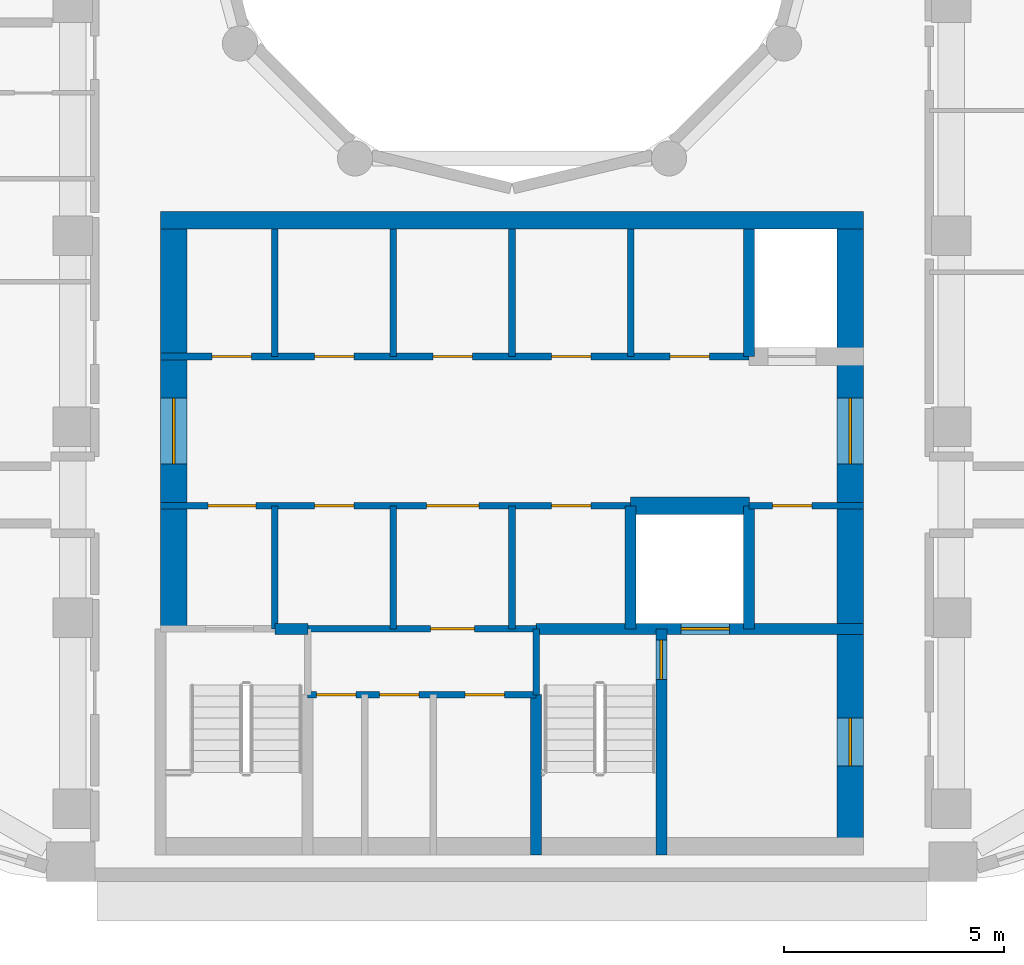
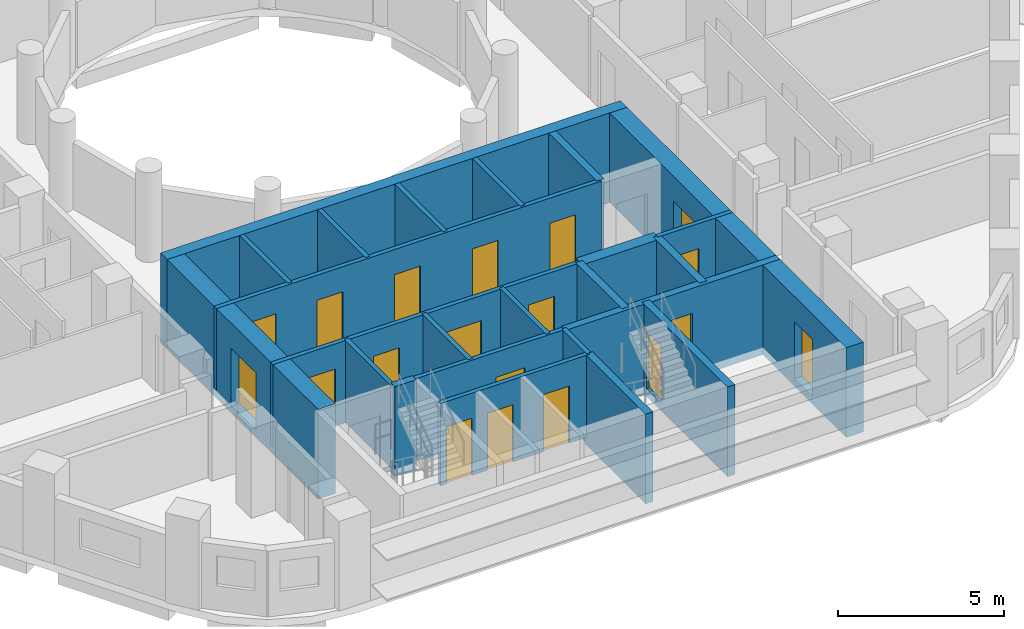
# One storey, part 3 of 13: 24 walls, 19 doors, 19 openings.
"""IFC4 building model written with IfcOpenShell, lengths in metres."""

from ifc_helpers import new_model, si_unit, direction, frame, frame_2d, origin, place, context, subcontext, project, spatial, rectangle, extrude, material, layer, layer_set, type_object, element, fill, save


model = new_model("IFC4")

# Units and contexts
model_context = context("Model", 3, precision=1e-05, world=origin(), true_north=direction((0.0, 1.0)))
body_context = subcontext(model_context, "Body", "Model", "MODEL_VIEW")
ifc_project = project(units=[si_unit("LENGTHUNIT", "METRE"), si_unit("AREAUNIT", "SQUARE_METRE"), si_unit("VOLUMEUNIT", "CUBIC_METRE"), si_unit("PLANEANGLEUNIT", "RADIAN"), si_unit("MASSUNIT", "GRAM", prefix="KILO")], contexts=[model_context])

# Site, building, storey
site_placement = place(None, origin())
site = spatial("IfcSite", under=ifc_project, at=site_placement, CompositionType="ELEMENT")
building_placement = place(site_placement, origin())
building = spatial("IfcBuilding", under=site, at=building_placement, Name="Nakaniwa Court", CompositionType="ELEMENT")
storey_placement = place(building_placement, frame((0.0, 0.0, 242.699951171875)))
storey = spatial("IfcBuildingStorey", under=building, at=storey_placement, Name="L63", CompositionType="ELEMENT", Elevation=242.699951171875)

# Walls
ifc_material_1 = material(Name="Blockwork partition", Category="masonry")
ifc_layer_1 = layer(ifc_material_1, 0.14990234375)
ifc_layer_set_1 = layer_set([ifc_layer_1], Name="Blockwork partition")
wall_type_1 = type_object("IfcWallType", Name="Blockwork partition 150", PredefinedType="PARTITIONING", material=ifc_layer_set_1)
wall_1_placement = place(storey_placement, frame((74.60009765625, 63.10009765625, 0.0), z_axis=(0.0, 0.0, 1.0), x_axis=(0.0, 1.0, 0.0)))
element("IfcWall", 1, at=wall_1_placement, inside=storey, type_object=wall_type_1, Name="Partition PW-031", PredefinedType="PARTITIONING", context=body_context, shape_type="SweptSolid", body=[
    extrude(rectangle(XDim=2.7998046875, YDim=0.14990234375, at=frame_2d((1.39990234375, 0.0))), origin(), (0.0, 0.0, 1.0), 3.025146484375),
])
wall_2_placement = place(storey_placement, frame((74.60009765625, 69.300048828125, 0.0), z_axis=(0.0, 0.0, 1.0), x_axis=(0.0, 1.0, 0.0)))
element("IfcWall", 2, at=wall_2_placement, inside=storey, type_object=wall_type_1, Name="Partition PW-032", PredefinedType="PARTITIONING", context=body_context, shape_type="SweptSolid", body=[
    extrude(rectangle(XDim=2.89990234375, YDim=0.14990234375, at=frame_2d((1.449951171875, 0.0))), origin(), (0.0, 0.0, 1.0), 3.025146484375),
])

# Wall, openings, doors
wall_3_placement = place(storey_placement, frame((72.0, 69.300048828125, 0.0), z_axis=(0.0, 0.0, 1.0), x_axis=(1.0, 0.0, 0.0)))
wall_3 = element("IfcWall", 3, at=wall_3_placement, inside=storey, type_object=wall_type_1, Name="Partition PW-033", PredefinedType="PARTITIONING", context=body_context, shape_type="SweptSolid", body=[
    extrude(rectangle(XDim=13.39990234375, YDim=0.14990234375, at=frame_2d((6.699951171875, 0.0))), origin(), (0.0, 0.0, 1.0), 3.025146484375),
])
opening_1_placement = place(wall_3_placement, frame((1.175048828125, 0.0, 0.0)))
opening_1 = element("IfcOpeningElement", 4, at=opening_1_placement, cuts=wall_3, Name="Opening D-05-12", PredefinedType="OPENING", context=body_context, shape_type="SweptSolid", body=[
    extrude(rectangle(XDim=0.89990234375, YDim=2.10009765625, at=frame_2d((0.449951171875, 1.050048828125))), frame((0.0, 0.0849609375, 0.0), z_axis=(0.0, -1.0, 0.0), x_axis=(1.0, 0.0, 0.0)), (0.0, 0.0, 1.0), 0.169921875),
])
opening_2_placement = place(wall_3_placement, frame((3.5, 0.0, 0.0)))
opening_2 = element("IfcOpeningElement", 5, at=opening_2_placement, cuts=wall_3, Name="Opening D-05-13", PredefinedType="OPENING", context=body_context, shape_type="SweptSolid", body=[
    extrude(rectangle(XDim=0.89990234375, YDim=2.10009765625, at=frame_2d((0.449951171875, 1.050048828125))), frame((0.0, 0.0849609375, 0.0), z_axis=(0.0, -1.0, 0.0), x_axis=(1.0, 0.0, 0.0)), (0.0, 0.0, 1.0), 0.169921875),
])
opening_3_placement = place(wall_3_placement, frame((6.199951171875, 0.0, 0.0)))
opening_3 = element("IfcOpeningElement", 6, at=opening_3_placement, cuts=wall_3, Name="Opening D-05-14", PredefinedType="OPENING", context=body_context, shape_type="SweptSolid", body=[
    extrude(rectangle(XDim=0.89990234375, YDim=2.10009765625, at=frame_2d((0.449951171875, 1.050048828125))), frame((0.0, 0.0849609375, 0.0), z_axis=(0.0, -1.0, 0.0), x_axis=(1.0, 0.0, 0.0)), (0.0, 0.0, 1.0), 0.169921875),
])
opening_4_placement = place(wall_3_placement, frame((8.89990234375, 0.0, 0.0)))
opening_4 = element("IfcOpeningElement", 7, at=opening_4_placement, cuts=wall_3, Name="Opening D-05-15", PredefinedType="OPENING", context=body_context, shape_type="SweptSolid", body=[
    extrude(rectangle(XDim=0.89990234375, YDim=2.10009765625, at=frame_2d((0.449951171875, 1.050048828125))), frame((0.0, 0.0849609375, 0.0), z_axis=(0.0, -1.0, 0.0), x_axis=(1.0, 0.0, 0.0)), (0.0, 0.0, 1.0), 0.169921875),
])
opening_5_placement = place(wall_3_placement, frame((11.60009765625, 0.0, 0.0)))
opening_5 = element("IfcOpeningElement", 8, at=opening_5_placement, cuts=wall_3, Name="Opening D-05-16", PredefinedType="OPENING", context=body_context, shape_type="SweptSolid", body=[
    extrude(rectangle(XDim=0.89990234375, YDim=2.10009765625, at=frame_2d((0.449951171875, 1.050048828125))), frame((0.0, 0.0849609375, 0.0), z_axis=(0.0, -1.0, 0.0), x_axis=(1.0, 0.0, 0.0)), (0.0, 0.0, 1.0), 0.169921875),
])
ifc_material_2 = material(Name="Fire rated steel door set", Category="steel")
door_type_1 = type_object("IfcDoorType", Name="Service room door 900", OperationType="NOTDEFINED", PredefinedType="DOOR", material=ifc_material_2)
door_1_placement = place(opening_1_placement, origin())
door_1 = element("IfcDoor", 9, at=door_1_placement, inside=storey, type_object=door_type_1, Name="Door D-05-12 L63-017", OperationType="SINGLE_SWING_RIGHT", OverallHeight=2.10009765625, OverallWidth=0.89990234375, PredefinedType="DOOR", context=body_context, shape_type="SweptSolid", body=[
    extrude(rectangle(XDim=0.89990234375, YDim=2.10009765625, at=frame_2d((0.449951171875, 1.050048828125))), frame((0.0, 0.02490234375, 0.0), z_axis=(0.0, -1.0, 0.0), x_axis=(1.0, 0.0, 0.0)), (0.0, 0.0, 1.0), 0.050048828125),
])
fill(opening_1, door_1)
door_2_placement = place(opening_2_placement, origin())
door_2 = element("IfcDoor", 10, at=door_2_placement, inside=storey, type_object=door_type_1, Name="Door D-05-13 L63-018", OperationType="SINGLE_SWING_LEFT", OverallHeight=2.10009765625, OverallWidth=0.89990234375, PredefinedType="DOOR", context=body_context, shape_type="SweptSolid", body=[
    extrude(rectangle(XDim=0.89990234375, YDim=2.10009765625, at=frame_2d((0.449951171875, 1.050048828125))), frame((0.0, 0.02490234375, 0.0), z_axis=(0.0, -1.0, 0.0), x_axis=(1.0, 0.0, 0.0)), (0.0, 0.0, 1.0), 0.050048828125),
])
fill(opening_2, door_2)
door_3_placement = place(opening_3_placement, origin())
door_3 = element("IfcDoor", 11, at=door_3_placement, inside=storey, type_object=door_type_1, Name="Door D-05-14 L63-019", OperationType="SINGLE_SWING_RIGHT", OverallHeight=2.10009765625, OverallWidth=0.89990234375, PredefinedType="DOOR", context=body_context, shape_type="SweptSolid", body=[
    extrude(rectangle(XDim=0.89990234375, YDim=2.10009765625, at=frame_2d((0.449951171875, 1.050048828125))), frame((0.0, 0.02490234375, 0.0), z_axis=(0.0, -1.0, 0.0), x_axis=(1.0, 0.0, 0.0)), (0.0, 0.0, 1.0), 0.050048828125),
])
fill(opening_3, door_3)
door_4_placement = place(opening_4_placement, origin())
door_4 = element("IfcDoor", 12, at=door_4_placement, inside=storey, type_object=door_type_1, Name="Door D-05-15 L63-020", OperationType="SINGLE_SWING_LEFT", OverallHeight=2.10009765625, OverallWidth=0.89990234375, PredefinedType="DOOR", context=body_context, shape_type="SweptSolid", body=[
    extrude(rectangle(XDim=0.89990234375, YDim=2.10009765625, at=frame_2d((0.449951171875, 1.050048828125))), frame((0.0, 0.02490234375, 0.0), z_axis=(0.0, -1.0, 0.0), x_axis=(1.0, 0.0, 0.0)), (0.0, 0.0, 1.0), 0.050048828125),
])
fill(opening_4, door_4)
door_5_placement = place(opening_5_placement, origin())
door_5 = element("IfcDoor", 13, at=door_5_placement, inside=storey, type_object=door_type_1, Name="Door D-05-16 L63-021", OperationType="SINGLE_SWING_RIGHT", OverallHeight=2.10009765625, OverallWidth=0.89990234375, PredefinedType="DOOR", context=body_context, shape_type="SweptSolid", body=[
    extrude(rectangle(XDim=0.89990234375, YDim=2.10009765625, at=frame_2d((0.449951171875, 1.050048828125))), frame((0.0, 0.02490234375, 0.0), z_axis=(0.0, -1.0, 0.0), x_axis=(1.0, 0.0, 0.0)), (0.0, 0.0, 1.0), 0.050048828125),
])
fill(opening_5, door_5)

# Walls
wall_4_placement = place(storey_placement, frame((77.300048828125, 63.10009765625, 0.0), z_axis=(0.0, 0.0, 1.0), x_axis=(0.0, 1.0, 0.0)))
element("IfcWall", 14, at=wall_4_placement, inside=storey, type_object=wall_type_1, Name="Partition PW-039", PredefinedType="PARTITIONING", context=body_context, shape_type="SweptSolid", body=[
    extrude(rectangle(XDim=2.7998046875, YDim=0.14990234375, at=frame_2d((1.39990234375, 0.0))), origin(), (0.0, 0.0, 1.0), 3.025146484375),
])
wall_5_placement = place(storey_placement, frame((77.300048828125, 69.300048828125, 0.0), z_axis=(0.0, 0.0, 1.0), x_axis=(0.0, 1.0, 0.0)))
element("IfcWall", 15, at=wall_5_placement, inside=storey, type_object=wall_type_1, Name="Partition PW-040", PredefinedType="PARTITIONING", context=body_context, shape_type="SweptSolid", body=[
    extrude(rectangle(XDim=2.89990234375, YDim=0.14990234375, at=frame_2d((1.449951171875, 0.0))), origin(), (0.0, 0.0, 1.0), 3.025146484375),
])
wall_6_placement = place(storey_placement, frame((80.0, 63.10009765625, 0.0), z_axis=(0.0, 0.0, 1.0), x_axis=(0.0, 1.0, 0.0)))
element("IfcWall", 16, at=wall_6_placement, inside=storey, type_object=wall_type_1, Name="Partition PW-041", PredefinedType="PARTITIONING", context=body_context, shape_type="SweptSolid", body=[
    extrude(rectangle(XDim=2.7998046875, YDim=0.14990234375, at=frame_2d((1.39990234375, 0.0))), origin(), (0.0, 0.0, 1.0), 3.025146484375),
])
for number, where, z_axis, x_axis, name in (
    (17, (80.0, 69.300048828125, 0.0), (0.0, 0.0, 1.0), (0.0, 1.0, 0.0), "Partition PW-042"),
    (18, (82.699951171875, 69.300048828125, 0.0), (0.0, 0.0, 1.0), (0.0, 1.0, 0.0), "Partition PW-043"),
):
    element("IfcWall", number, at=place(storey_placement, frame(where, z_axis=z_axis, x_axis=x_axis)), inside=storey, type_object=wall_type_1, Name=name, PredefinedType="PARTITIONING", context=body_context, shape_type="SweptSolid", body=[
        extrude(rectangle(XDim=2.89990234375, YDim=0.14990234375, at=frame_2d((1.449951171875, 0.0))), origin(), (0.0, 0.0, 1.0), 3.025146484375),
    ])

# Wall, openings, doors
wall_7_placement = place(storey_placement, frame((82.702880859375, 65.89990234375, 0.0), z_axis=(0.0, 0.0, 1.0), x_axis=(-1.0, 0.0, 0.0)))
wall_7 = element("IfcWall", 19, at=wall_7_placement, inside=storey, type_object=wall_type_1, Name="Partition PW-044", PredefinedType="PARTITIONING", context=body_context, shape_type="SweptSolid", body=[
    extrude(rectangle(XDim=10.702880859375, YDim=0.14990234375, at=frame_2d((5.3515625, 0.0))), origin(), (0.0, 0.0, 1.0), 3.025146484375),
])
opening_6_placement = place(wall_7_placement, frame((8.528076171875, 0.0, 0.0)))
opening_6 = element("IfcOpeningElement", 20, at=opening_6_placement, cuts=wall_7, Name="Opening D-08-02", PredefinedType="OPENING", context=body_context, shape_type="SweptSolid", body=[
    extrude(rectangle(XDim=1.10009765625, YDim=2.10009765625, at=frame_2d((0.550048828125, 1.050048828125))), frame((0.0, 0.0849609375, 0.0), z_axis=(0.0, -1.0, 0.0), x_axis=(1.0, 0.0, 0.0)), (0.0, 0.0, 1.0), 0.169921875),
])
opening_7_placement = place(wall_7_placement, frame((6.302978515625, 0.0, 0.0)))
opening_7 = element("IfcOpeningElement", 21, at=opening_7_placement, cuts=wall_7, Name="Opening D-05-17", PredefinedType="OPENING", context=body_context, shape_type="SweptSolid", body=[
    extrude(rectangle(XDim=0.89990234375, YDim=2.10009765625, at=frame_2d((0.449951171875, 1.050048828125))), frame((0.0, 0.0849609375, 0.0), z_axis=(0.0, -1.0, 0.0), x_axis=(1.0, 0.0, 0.0)), (0.0, 0.0, 1.0), 0.169921875),
])
opening_8_placement = place(wall_7_placement, frame((3.452880859375, 0.0, 0.0)))
opening_8 = element("IfcOpeningElement", 22, at=opening_8_placement, cuts=wall_7, Name="Opening D-06-02", PredefinedType="OPENING", context=body_context, shape_type="SweptSolid", body=[
    extrude(rectangle(XDim=1.199951171875, YDim=2.10009765625, at=frame_2d((0.60009765625, 1.050048828125))), frame((0.0, 0.0849609375, 0.0), z_axis=(0.0, -1.0, 0.0), x_axis=(1.0, 0.0, 0.0)), (0.0, 0.0, 1.0), 0.169921875),
])
opening_9_placement = place(wall_7_placement, frame((0.903076171875, 0.0, 0.0)))
opening_9 = element("IfcOpeningElement", 23, at=opening_9_placement, cuts=wall_7, Name="Opening D-05-18", PredefinedType="OPENING", context=body_context, shape_type="SweptSolid", body=[
    extrude(rectangle(XDim=0.89990234375, YDim=2.10009765625, at=frame_2d((0.449951171875, 1.050048828125))), frame((0.0, 0.0849609375, 0.0), z_axis=(0.0, -1.0, 0.0), x_axis=(1.0, 0.0, 0.0)), (0.0, 0.0, 1.0), 0.169921875),
])
ifc_material_3 = material(Name="Fire rated steel double door set", Category="steel")
door_type_2 = type_object("IfcDoorType", Name="Service passage double door 1200", OperationType="NOTDEFINED", PredefinedType="DOOR", material=ifc_material_3)
door_6_placement = place(opening_8_placement, origin())
door_6 = element("IfcDoor", 24, at=door_6_placement, inside=storey, type_object=door_type_2, Name="Door D-06-02 L63-024", OperationType="DOUBLE_DOOR_SINGLE_SWING", OverallHeight=2.10009765625, OverallWidth=1.199951171875, PredefinedType="DOOR", context=body_context, shape_type="SweptSolid", body=[
    extrude(rectangle(XDim=1.199951171875, YDim=2.10009765625, at=frame_2d((0.60009765625, 1.050048828125))), frame((0.0, 0.02490234375, 0.0), z_axis=(0.0, -1.0, 0.0), x_axis=(1.0, 0.0, 0.0)), (0.0, 0.0, 1.0), 0.050048828125),
])
fill(opening_8, door_6)
door_7_placement = place(opening_7_placement, origin())
door_7 = element("IfcDoor", 25, at=door_7_placement, inside=storey, type_object=door_type_1, Name="Door D-05-17 L63-023", OperationType="SINGLE_SWING_RIGHT", OverallHeight=2.10009765625, OverallWidth=0.89990234375, PredefinedType="DOOR", context=body_context, shape_type="SweptSolid", body=[
    extrude(rectangle(XDim=0.89990234375, YDim=2.10009765625, at=frame_2d((0.449951171875, 1.050048828125))), frame((0.0, 0.02490234375, 0.0), z_axis=(0.0, -1.0, 0.0), x_axis=(1.0, 0.0, 0.0)), (0.0, 0.0, 1.0), 0.050048828125),
])
fill(opening_7, door_7)
door_8_placement = place(opening_9_placement, origin())
door_8 = element("IfcDoor", 26, at=door_8_placement, inside=storey, type_object=door_type_1, Name="Door D-05-18 L63-025", OperationType="SINGLE_SWING_RIGHT", OverallHeight=2.10009765625, OverallWidth=0.89990234375, PredefinedType="DOOR", context=body_context, shape_type="SweptSolid", body=[
    extrude(rectangle(XDim=0.89990234375, YDim=2.10009765625, at=frame_2d((0.449951171875, 1.050048828125))), frame((0.0, 0.02490234375, 0.0), z_axis=(0.0, -1.0, 0.0), x_axis=(1.0, 0.0, 0.0)), (0.0, 0.0, 1.0), 0.050048828125),
])
fill(opening_9, door_8)
door_type_3 = type_object("IfcDoorType", Name="Stair lobby door 1100", OperationType="NOTDEFINED", PredefinedType="DOOR", material=ifc_material_2)
door_9_placement = place(opening_6_placement, origin())
door_9 = element("IfcDoor", 27, at=door_9_placement, inside=storey, type_object=door_type_3, Name="Door D-08-02 L63-022", OperationType="SINGLE_SWING_LEFT", OverallHeight=2.10009765625, OverallWidth=1.10009765625, PredefinedType="DOOR", context=body_context, shape_type="SweptSolid", body=[
    extrude(rectangle(XDim=1.10009765625, YDim=2.10009765625, at=frame_2d((0.550048828125, 1.050048828125))), frame((0.0, 0.02490234375, 0.0), z_axis=(0.0, -1.0, 0.0), x_axis=(1.0, 0.0, 0.0)), (0.0, 0.0, 1.0), 0.050048828125),
])
fill(opening_6, door_9)

# Wall, opening, door
wall_8_placement = place(storey_placement, frame((88.0, 65.89990234375, 0.0), z_axis=(0.0, 0.0, 1.0), x_axis=(-1.0, 0.0, 0.0)))
wall_8 = element("IfcWall", 28, at=wall_8_placement, inside=storey, type_object=wall_type_1, Name="Partition PW-045", PredefinedType="PARTITIONING", context=body_context, shape_type="SweptSolid", body=[
    extrude(rectangle(XDim=2.60302734375, YDim=0.14990234375, at=frame_2d((1.301513671875, 0.0))), origin(), (0.0, 0.0, 1.0), 3.025146484375),
])
opening_10_placement = place(wall_8_placement, frame((1.175048828125, 0.0, 0.0)))
opening_10 = element("IfcOpeningElement", 29, at=opening_10_placement, cuts=wall_8, Name="Opening D-05-19", PredefinedType="OPENING", context=body_context, shape_type="SweptSolid", body=[
    extrude(rectangle(XDim=0.89990234375, YDim=2.10009765625, at=frame_2d((0.449951171875, 1.050048828125))), frame((0.0, 0.0849609375, 0.0), z_axis=(0.0, -1.0, 0.0), x_axis=(1.0, 0.0, 0.0)), (0.0, 0.0, 1.0), 0.169921875),
])
door_10_placement = place(opening_10_placement, origin())
door_10 = element("IfcDoor", 30, at=door_10_placement, inside=storey, type_object=door_type_1, Name="Door D-05-19 L63-026", OperationType="SINGLE_SWING_LEFT", OverallHeight=2.10009765625, OverallWidth=0.89990234375, PredefinedType="DOOR", context=body_context, shape_type="SweptSolid", body=[
    extrude(rectangle(XDim=0.89990234375, YDim=2.10009765625, at=frame_2d((0.449951171875, 1.050048828125))), frame((0.0, 0.02490234375, 0.0), z_axis=(0.0, -1.0, 0.0), x_axis=(1.0, 0.0, 0.0)), (0.0, 0.0, 1.0), 0.050048828125),
])
fill(opening_10, door_10)

wall_9_placement = place(storey_placement, frame((80.552978515625, 63.10009765625, 0.0), z_axis=(0.0, 0.0, 1.0), x_axis=(-1.0, 0.0, 0.0)))
wall_9 = element("IfcWall", 31, at=wall_9_placement, inside=storey, type_object=wall_type_1, Name="Partition PW-050", PredefinedType="PARTITIONING", context=body_context, shape_type="SweptSolid", body=[
    extrude(rectangle(XDim=5.2060546875, YDim=0.14990234375, at=frame_2d((2.60302734375, 0.0))), origin(), (0.0, 0.0, 1.0), 3.025146484375),
])
opening_11_placement = place(wall_9_placement, frame((1.403076171875, 0.0, 0.0)))
opening_11 = element("IfcOpeningElement", 32, at=opening_11_placement, cuts=wall_9, Name="Opening D-23-02", PredefinedType="OPENING", context=body_context, shape_type="SweptSolid", body=[
    extrude(rectangle(XDim=1.0, YDim=2.10009765625, at=frame_2d((0.5, 1.050048828125))), frame((0.0, 0.0849609375, 0.0), z_axis=(0.0, -1.0, 0.0), x_axis=(1.0, 0.0, 0.0)), (0.0, 0.0, 1.0), 0.169921875),
])
door_type_4 = type_object("IfcDoorType", Name="Service room door 1000", OperationType="NOTDEFINED", PredefinedType="DOOR", material=ifc_material_2)
door_11_placement = place(opening_11_placement, origin())
door_11 = element("IfcDoor", 33, at=door_11_placement, inside=storey, type_object=door_type_4, Name="Door D-23-02 L63-027", OperationType="SINGLE_SWING_RIGHT", OverallHeight=2.10009765625, OverallWidth=1.0, PredefinedType="DOOR", context=body_context, shape_type="SweptSolid", body=[
    extrude(rectangle(XDim=1.0, YDim=2.10009765625, at=frame_2d((0.5, 1.050048828125))), frame((0.0, 0.02490234375, 0.0), z_axis=(0.0, -1.0, 0.0), x_axis=(1.0, 0.0, 0.0)), (0.0, 0.0, 1.0), 0.050048828125),
])
fill(opening_11, door_11)

# Wall, openings, doors
wall_10_placement = place(storey_placement, frame((80.550048828125, 61.60009765625, 0.0), z_axis=(0.0, 0.0, 1.0), x_axis=(-1.0, 0.0, 0.0)))
wall_10 = element("IfcWall", 34, at=wall_10_placement, inside=storey, type_object=wall_type_1, Name="Partition PW-058", PredefinedType="PARTITIONING", context=body_context, shape_type="SweptSolid", body=[
    extrude(rectangle(XDim=5.199951171875, YDim=0.14990234375, at=frame_2d((2.60009765625, 0.0))), origin(), (0.0, 0.0, 1.0), 3.025146484375),
])
opening_12_placement = place(wall_10_placement, frame((4.10009765625, 0.0, 0.0)))
opening_12 = element("IfcOpeningElement", 35, at=opening_12_placement, cuts=wall_10, Name="Opening D-05-20", PredefinedType="OPENING", context=body_context, shape_type="SweptSolid", body=[
    extrude(rectangle(XDim=0.89990234375, YDim=2.10009765625, at=frame_2d((0.449951171875, 1.050048828125))), frame((0.0, 0.0849609375, 0.0), z_axis=(0.0, -1.0, 0.0), x_axis=(1.0, 0.0, 0.0)), (0.0, 0.0, 1.0), 0.169921875),
])
opening_13_placement = place(wall_10_placement, frame((2.669921875, 0.0, 0.0)))
opening_13 = element("IfcOpeningElement", 36, at=opening_13_placement, cuts=wall_10, Name="Opening D-05-21", PredefinedType="OPENING", context=body_context, shape_type="SweptSolid", body=[
    extrude(rectangle(XDim=0.89990234375, YDim=2.10009765625, at=frame_2d((0.449951171875, 1.050048828125))), frame((0.0, 0.0849609375, 0.0), z_axis=(0.0, -1.0, 0.0), x_axis=(1.0, 0.0, 0.0)), (0.0, 0.0, 1.0), 0.169921875),
])
opening_14_placement = place(wall_10_placement, frame((0.719970703125, 0.0, 0.0)))
opening_14 = element("IfcOpeningElement", 37, at=opening_14_placement, cuts=wall_10, Name="Opening D-05-22", PredefinedType="OPENING", context=body_context, shape_type="SweptSolid", body=[
    extrude(rectangle(XDim=0.89990234375, YDim=2.10009765625, at=frame_2d((0.449951171875, 1.050048828125))), frame((0.0, 0.0849609375, 0.0), z_axis=(0.0, -1.0, 0.0), x_axis=(1.0, 0.0, 0.0)), (0.0, 0.0, 1.0), 0.169921875),
])
door_12_placement = place(opening_12_placement, origin())
door_12 = element("IfcDoor", 38, at=door_12_placement, inside=storey, type_object=door_type_1, Name="Door D-05-20 L63-028", OperationType="SINGLE_SWING_LEFT", OverallHeight=2.10009765625, OverallWidth=0.89990234375, PredefinedType="DOOR", context=body_context, shape_type="SweptSolid", body=[
    extrude(rectangle(XDim=0.89990234375, YDim=2.10009765625, at=frame_2d((0.449951171875, 1.050048828125))), frame((0.0, 0.02490234375, 0.0), z_axis=(0.0, -1.0, 0.0), x_axis=(1.0, 0.0, 0.0)), (0.0, 0.0, 1.0), 0.050048828125),
])
fill(opening_12, door_12)
door_13_placement = place(opening_13_placement, origin())
door_13 = element("IfcDoor", 39, at=door_13_placement, inside=storey, type_object=door_type_1, Name="Door D-05-21 L63-029", OperationType="SINGLE_SWING_RIGHT", OverallHeight=2.10009765625, OverallWidth=0.89990234375, PredefinedType="DOOR", context=body_context, shape_type="SweptSolid", body=[
    extrude(rectangle(XDim=0.89990234375, YDim=2.10009765625, at=frame_2d((0.449951171875, 1.050048828125))), frame((0.0, 0.02490234375, 0.0), z_axis=(0.0, -1.0, 0.0), x_axis=(1.0, 0.0, 0.0)), (0.0, 0.0, 1.0), 0.050048828125),
])
fill(opening_13, door_13)
door_14_placement = place(opening_14_placement, origin())
door_14 = element("IfcDoor", 40, at=door_14_placement, inside=storey, type_object=door_type_1, Name="Door D-05-22 L63-030", OperationType="SINGLE_SWING_LEFT", OverallHeight=2.10009765625, OverallWidth=0.89990234375, PredefinedType="DOOR", context=body_context, shape_type="SweptSolid", body=[
    extrude(rectangle(XDim=0.89990234375, YDim=2.10009765625, at=frame_2d((0.449951171875, 1.050048828125))), frame((0.0, 0.02490234375, 0.0), z_axis=(0.0, -1.0, 0.0), x_axis=(1.0, 0.0, 0.0)), (0.0, 0.0, 1.0), 0.050048828125),
])
fill(opening_14, door_14)

# Wall, opening, door
ifc_material_4 = material(Name="Concrete C80/100", Category="concrete")
ifc_layer_2 = layer(ifc_material_4, 0.60009765625)
ifc_layer_set_2 = layer_set([ifc_layer_2], Name="Concrete C80/100")
wall_type_2 = type_object("IfcWallType", Name="Concrete core side wall 600 C80", PredefinedType="SHEAR", material=ifc_layer_set_2)
wall_11_placement = place(storey_placement, frame((72.300048828125, 63.10009765625, -0.27490234375), z_axis=(0.0, 0.0, 1.0), x_axis=(0.0, 1.0, 0.0)))
wall_11 = element("IfcWall", 41, at=wall_11_placement, inside=storey, type_object=wall_type_2, Name="Core wall SW-34", PredefinedType="SHEAR", context=body_context, shape_type="SweptSolid", body=[
    extrude(rectangle(XDim=9.099853515625, YDim=0.60009765625, at=frame_2d((4.5498046875, 0.0))), origin(), (0.0, 0.0, 1.0), 3.300048828125),
])
opening_15_placement = place(wall_11_placement, frame((3.75, 0.0, 0.27490234375)))
opening_15 = element("IfcOpeningElement", 42, at=opening_15_placement, cuts=wall_11, Name="Opening D-07-04", PredefinedType="OPENING", context=body_context, shape_type="SweptSolid", body=[
    extrude(rectangle(XDim=1.5, YDim=2.10009765625, at=frame_2d((0.75, 1.050048828125))), frame((0.0, 0.31005859375, 0.0), z_axis=(0.0, -1.0, 0.0), x_axis=(1.0, 0.0, 0.0)), (0.0, 0.0, 1.0), 0.6201171875),
])
ifc_material_5 = material(Name="Glazed fire rated steel double door set", Category="steel")
door_type_5 = type_object("IfcDoorType", Name="Lobby double door 1500", OperationType="NOTDEFINED", PredefinedType="DOOR", material=ifc_material_5)
door_15_placement = place(opening_15_placement, origin())
door_15 = element("IfcDoor", 43, at=door_15_placement, inside=storey, type_object=door_type_5, Name="Door D-07-04 L63-067", OperationType="DOUBLE_DOOR_SINGLE_SWING", OverallHeight=2.10009765625, OverallWidth=1.5, PredefinedType="DOOR", context=body_context, shape_type="SweptSolid", body=[
    extrude(rectangle(XDim=1.5, YDim=2.10009765625, at=frame_2d((0.75, 1.050048828125))), frame((0.0, 0.02490234375, 0.0), z_axis=(0.0, -1.0, 0.0), x_axis=(1.0, 0.0, 0.0)), (0.0, 0.0, 1.0), 0.050048828125),
])
fill(opening_15, door_15)

# Wall, openings, doors
wall_12_placement = place(storey_placement, frame((87.699951171875, 72.199951171875, -0.27490234375), z_axis=(0.0, 0.0, 1.0), x_axis=(0.0, -1.0, 0.0)))
wall_12 = element("IfcWall", 44, at=wall_12_placement, inside=storey, type_object=wall_type_2, Name="Core wall SW-38", PredefinedType="SHEAR", context=body_context, shape_type="SweptSolid", body=[
    extrude(rectangle(XDim=14.25, YDim=0.60009765625, at=frame_2d((7.125, 0.0))), origin(), (0.0, 0.0, 1.0), 3.300048828125),
])
opening_16_placement = place(wall_12_placement, frame((3.85009765625, 0.0, 0.27490234375)))
opening_16 = element("IfcOpeningElement", 45, at=opening_16_placement, cuts=wall_12, Name="Opening D-07-03", PredefinedType="OPENING", context=body_context, shape_type="SweptSolid", body=[
    extrude(rectangle(XDim=1.5, YDim=2.10009765625, at=frame_2d((0.75, 1.050048828125))), frame((0.0, 0.31005859375, 0.0), z_axis=(0.0, -1.0, 0.0), x_axis=(1.0, 0.0, 0.0)), (0.0, 0.0, 1.0), 0.6201171875),
])
opening_17_placement = place(wall_12_placement, frame((11.125, 0.0, 0.27490234375)))
opening_17 = element("IfcOpeningElement", 46, at=opening_17_placement, cuts=wall_12, Name="Opening D-10-02", PredefinedType="OPENING", context=body_context, shape_type="SweptSolid", body=[
    extrude(rectangle(XDim=1.10009765625, YDim=2.10009765625, at=frame_2d((0.550048828125, 1.050048828125))), frame((0.0, 0.31005859375, 0.0), z_axis=(0.0, -1.0, 0.0), x_axis=(1.0, 0.0, 0.0)), (0.0, 0.0, 1.0), 0.6201171875),
])
door_type_6 = type_object("IfcDoorType", Name="Firefighting lobby door 1100", OperationType="NOTDEFINED", PredefinedType="DOOR", material=ifc_material_2)
door_16_placement = place(opening_17_placement, origin())
door_16 = element("IfcDoor", 47, at=door_16_placement, inside=storey, type_object=door_type_6, Name="Door D-10-02 L63-068", OperationType="SINGLE_SWING_LEFT", OverallHeight=2.10009765625, OverallWidth=1.10009765625, PredefinedType="DOOR", context=body_context, shape_type="SweptSolid", body=[
    extrude(rectangle(XDim=1.10009765625, YDim=2.10009765625, at=frame_2d((0.550048828125, 1.050048828125))), frame((0.0, 0.02490234375, 0.0), z_axis=(0.0, -1.0, 0.0), x_axis=(1.0, 0.0, 0.0)), (0.0, 0.0, 1.0), 0.050048828125),
])
fill(opening_17, door_16)
door_17_placement = place(opening_16_placement, origin())
door_17 = element("IfcDoor", 48, at=door_17_placement, inside=storey, type_object=door_type_5, Name="Door D-07-03 L63-066", OperationType="DOUBLE_DOOR_SINGLE_SWING", OverallHeight=2.10009765625, OverallWidth=1.5, PredefinedType="DOOR", context=body_context, shape_type="SweptSolid", body=[
    extrude(rectangle(XDim=1.5, YDim=2.10009765625, at=frame_2d((0.75, 1.050048828125))), frame((0.0, 0.02490234375, 0.0), z_axis=(0.0, -1.0, 0.0), x_axis=(1.0, 0.0, 0.0)), (0.0, 0.0, 1.0), 0.050048828125),
])
fill(opening_16, door_17)

# Walls
ifc_layer_3 = layer(ifc_material_4, 0.39990234375)
ifc_layer_set_3 = layer_set([ifc_layer_3], Name="Concrete C80/100")
wall_type_3 = type_object("IfcWallType", Name="Concrete core spine wall 400 C80", PredefinedType="SHEAR", material=ifc_layer_set_3)
wall_13_placement = place(storey_placement, frame((82.697021484375, 65.89990234375, -0.27490234375), z_axis=(0.0, 0.0, 1.0), x_axis=(1.0, 0.0, 0.0)))
element("IfcWall", 49, at=wall_13_placement, inside=storey, type_object=wall_type_3, Name="Core wall SW-46", PredefinedType="SHEAR", context=body_context, shape_type="SweptSolid", body=[
    extrude(rectangle(XDim=2.7060546875, YDim=0.39990234375, at=frame_2d((1.35302734375, 0.0))), origin(), (0.0, 0.0, 1.0), 3.300048828125),
])
ifc_layer_4 = layer(ifc_material_4, 0.14990234375)
ifc_layer_set_4 = layer_set([ifc_layer_4], Name="Concrete C80/100")
wall_type_4 = type_object("IfcWallType", Name="Concrete core wall 150 C80", PredefinedType="SHEAR", material=ifc_layer_set_4)
wall_14_placement = place(storey_placement, frame((80.550048828125, 61.596923828125, -0.27490234375), z_axis=(0.0, 0.0, 1.0), x_axis=(0.0, 1.0, 0.0)))
element("IfcWall", 50, at=wall_14_placement, inside=storey, type_object=wall_type_4, Name="Core wall SW-56", PredefinedType="SHEAR", context=body_context, shape_type="SweptSolid", body=[
    extrude(rectangle(XDim=1.503173828125, YDim=0.14990234375, at=frame_2d((0.75146484375, 0.0))), origin(), (0.0, 0.0, 1.0), 3.300048828125),
])
ifc_layer_5 = layer(ifc_material_4, 0.39990234375)
ifc_layer_set_5 = layer_set([ifc_layer_5], Name="Concrete C80/100")
wall_type_5 = type_object("IfcWallType", Name="Concrete core well wall 400 C80", PredefinedType="SHEAR", material=ifc_layer_set_5)
wall_15_placement = place(storey_placement, frame((72.00390625, 72.39990234375, -0.27490234375), z_axis=(0.0, 0.0, 1.0), x_axis=(1.0, 0.0, 0.0)))
element("IfcWall", 51, at=wall_15_placement, inside=storey, type_object=wall_type_5, Name="Core wall SW-132", PredefinedType="SHEAR", context=body_context, shape_type="SweptSolid", body=[
    extrude(rectangle(XDim=15.9921875, YDim=0.39990234375, at=frame_2d((7.99609375, 0.0))), origin(), (0.0, 0.0, 1.0), 3.300048828125),
])
ifc_layer_6 = layer(ifc_material_4, 0.25)
ifc_layer_set_6 = layer_set([ifc_layer_6], Name="Concrete C80/100")
wall_type_6 = type_object("IfcWallType", Name="Concrete shaft wall 250 C80", PredefinedType="SHEAR", material=ifc_layer_set_6)
wall_16_placement = place(storey_placement, frame((85.39990234375, 63.10009765625, -0.27490234375), z_axis=(0.0, 0.0, 1.0), x_axis=(0.0, 1.0, 0.0)))
element("IfcWall", 52, at=wall_16_placement, inside=storey, type_object=wall_type_6, Name="Core wall SW-35", PredefinedType="SHEAR", context=body_context, shape_type="SweptSolid", body=[
    extrude(rectangle(XDim=2.7998046875, YDim=0.25, at=frame_2d((1.39990234375, 0.0))), origin(), (0.0, 0.0, 1.0), 3.300048828125),
])
wall_17_placement = place(storey_placement, frame((85.39990234375, 69.300048828125, -0.27490234375), z_axis=(0.0, 0.0, 1.0), x_axis=(0.0, 1.0, 0.0)))
element("IfcWall", 53, at=wall_17_placement, inside=storey, type_object=wall_type_6, Name="Core wall SW-36", PredefinedType="SHEAR", context=body_context, shape_type="SweptSolid", body=[
    extrude(rectangle(XDim=2.89990234375, YDim=0.25, at=frame_2d((1.449951171875, 0.0))), origin(), (0.0, 0.0, 1.0), 3.300048828125),
])
wall_18_placement = place(storey_placement, frame((74.60009765625, 63.10009765625, -0.27490234375), z_axis=(0.0, 0.0, 1.0), x_axis=(1.0, 0.0, 0.0)))
element("IfcWall", 54, at=wall_18_placement, inside=storey, type_object=wall_type_6, Name="Core wall SW-48", PredefinedType="SHEAR", context=body_context, shape_type="SweptSolid", body=[
    extrude(rectangle(XDim=0.7529296875, YDim=0.25, at=frame_2d((0.37646484375, 0.0))), origin(), (0.0, 0.0, 1.0), 3.300048828125),
])

# Wall, opening, door
wall_19_placement = place(storey_placement, frame((80.547119140625, 63.10009765625, -0.27490234375), z_axis=(0.0, 0.0, 1.0), x_axis=(1.0, 0.0, 0.0)))
wall_19 = element("IfcWall", 55, at=wall_19_placement, inside=storey, type_object=wall_type_6, Name="Core wall SW-49", PredefinedType="SHEAR", context=body_context, shape_type="SweptSolid", body=[
    extrude(rectangle(XDim=7.452880859375, YDim=0.25, at=frame_2d((3.7265625, 0.0))), origin(), (0.0, 0.0, 1.0), 3.300048828125),
])
opening_18_placement = place(wall_19_placement, frame((3.302001953125, 0.0, 0.27490234375)))
opening_18 = element("IfcOpeningElement", 56, at=opening_18_placement, cuts=wall_19, Name="Opening LD04", PredefinedType="OPENING", context=body_context, shape_type="SweptSolid", body=[
    extrude(rectangle(XDim=1.10009765625, YDim=2.10009765625, at=frame_2d((0.550048828125, 1.050048828125))), frame((0.0, 0.135009765625, 0.0), z_axis=(0.0, -1.0, 0.0), x_axis=(1.0, 0.0, 0.0)), (0.0, 0.0, 1.0), 0.27001953125),
])
ifc_material_6 = material(Name="Stainless steel sliding lift landing door", Category="steel")
door_type_7 = type_object("IfcDoorType", Name="Lift landing door 1100", OperationType="NOTDEFINED", PredefinedType="DOOR", material=ifc_material_6)
door_18_placement = place(opening_18_placement, origin())
door_18 = element("IfcDoor", 57, at=door_18_placement, inside=storey, type_object=door_type_7, Name="Lift landing door LD04 L63-004", OperationType="SLIDING_TO_LEFT", OverallHeight=2.10009765625, OverallWidth=1.10009765625, PredefinedType="DOOR", context=body_context, shape_type="SweptSolid", body=[
    extrude(rectangle(XDim=1.10009765625, YDim=2.10009765625, at=frame_2d((0.550048828125, 1.050048828125))), frame((0.0, 0.02490234375, 0.0), z_axis=(0.0, -1.0, 0.0), x_axis=(1.0, 0.0, 0.0)), (0.0, 0.0, 1.0), 0.050048828125),
])
fill(opening_18, door_18)

# Wall
wall_20_placement = place(storey_placement, frame((82.699951171875, 63.10009765625, -0.27490234375), z_axis=(0.0, 0.0, 1.0), x_axis=(0.0, 1.0, 0.0)))
element("IfcWall", 58, at=wall_20_placement, inside=storey, type_object=wall_type_6, Name="Core wall SW-51", PredefinedType="SHEAR", context=body_context, shape_type="SweptSolid", body=[
    extrude(rectangle(XDim=2.7998046875, YDim=0.25, at=frame_2d((1.39990234375, 0.0))), origin(), (0.0, 0.0, 1.0), 3.300048828125),
])

# Wall, opening, door
wall_21_placement = place(storey_placement, frame((83.39990234375, 63.10009765625, -0.27490234375), z_axis=(0.0, 0.0, 1.0), x_axis=(0.0, -1.0, 0.0)))
wall_21 = element("IfcWall", 59, at=wall_21_placement, inside=storey, type_object=wall_type_6, Name="Core wall SW-55", PredefinedType="SHEAR", context=body_context, shape_type="SweptSolid", body=[
    extrude(rectangle(XDim=5.150146484375, YDim=0.25, at=frame_2d((2.5751953125, 0.0))), origin(), (0.0, 0.0, 1.0), 3.300048828125),
])
opening_19_placement = place(wall_21_placement, frame((0.25, 0.0, 0.27490234375)))
opening_19 = element("IfcOpeningElement", 60, at=opening_19_placement, cuts=wall_21, Name="Opening D-11-02", PredefinedType="OPENING", context=body_context, shape_type="SweptSolid", body=[
    extrude(rectangle(XDim=0.89990234375, YDim=2.10009765625, at=frame_2d((0.449951171875, 1.050048828125))), frame((0.0, 0.135009765625, 0.0), z_axis=(0.0, -1.0, 0.0), x_axis=(1.0, 0.0, 0.0)), (0.0, 0.0, 1.0), 0.27001953125),
])
door_type_8 = type_object("IfcDoorType", Name="Stair door 900", OperationType="NOTDEFINED", PredefinedType="DOOR", material=ifc_material_2)
door_19_placement = place(opening_19_placement, origin())
door_19 = element("IfcDoor", 61, at=door_19_placement, inside=storey, type_object=door_type_8, Name="Door D-11-02 L63-032", OperationType="SINGLE_SWING_RIGHT", OverallHeight=2.10009765625, OverallWidth=0.89990234375, PredefinedType="DOOR", context=body_context, shape_type="SweptSolid", body=[
    extrude(rectangle(XDim=0.89990234375, YDim=2.10009765625, at=frame_2d((0.449951171875, 1.050048828125))), frame((0.0, 0.02490234375, 0.0), z_axis=(0.0, -1.0, 0.0), x_axis=(1.0, 0.0, 0.0)), (0.0, 0.0, 1.0), 0.050048828125),
])
fill(opening_19, door_19)

# Wall
wall_22_placement = place(storey_placement, frame((80.550048828125, 57.949951171875, -0.27490234375), z_axis=(0.0, 0.0, 1.0), x_axis=(0.0, 1.0, 0.0)))
element("IfcWall", 62, at=wall_22_placement, inside=storey, type_object=wall_type_6, Name="Core wall SW-57", PredefinedType="SHEAR", context=body_context, shape_type="SweptSolid", body=[
    extrude(rectangle(XDim=3.653076171875, YDim=0.25, at=frame_2d((1.82666015625, 0.0))), origin(), (0.0, 0.0, 1.0), 3.300048828125),
])

save(model, "model.ifc")
